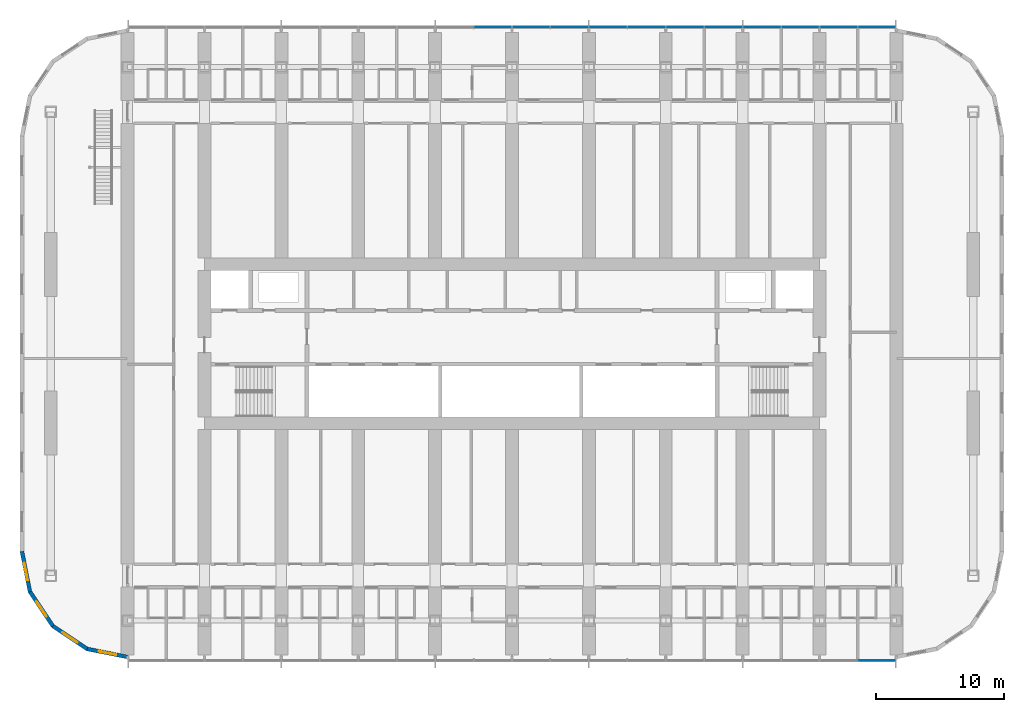
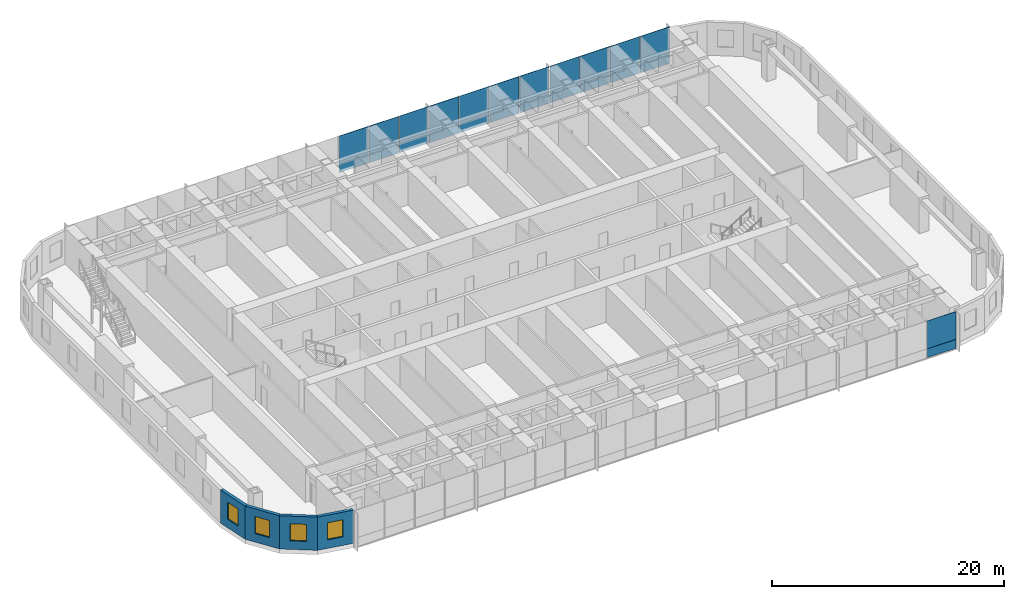
# One storey, part 11 of 28: 24 plates, 4 walls, 4 windows, 4 openings, 2 elements without a shape of their own.
"""IFC4 building model written with IfcOpenShell, lengths in metres."""

from ifc_helpers import new_model, si_unit, direction, frame, frame_2d, origin, origin_2d, place, context, subcontext, project, spatial, polyline, rectangle, outline, extrude, material, layer, layer_set, type_object, element, fill, aggregate, save


model = new_model("IFC4")

# Units and contexts
model_context = context("Model", 3, precision=1e-05, world=origin(), true_north=direction((0.0, 1.0)))
body_context = subcontext(model_context, "Body", "Model", "MODEL_VIEW")
ifc_project = project(units=[si_unit("LENGTHUNIT", "METRE"), si_unit("AREAUNIT", "SQUARE_METRE"), si_unit("VOLUMEUNIT", "CUBIC_METRE"), si_unit("PLANEANGLEUNIT", "RADIAN"), si_unit("MASSUNIT", "GRAM", prefix="KILO")], contexts=[model_context])

# Site, building, storey
site_placement = place(None, origin())
site = spatial("IfcSite", under=ifc_project, at=site_placement, CompositionType="ELEMENT")
building_placement = place(site_placement, origin())
building = spatial("IfcBuilding", under=site, at=building_placement, Name="Orbita Commons", CompositionType="ELEMENT")
storey_placement = place(building_placement, frame((0.0, 0.0, 38.949951171875)))
storey = spatial("IfcBuildingStorey", under=building, at=storey_placement, Name="L09", CompositionType="ELEMENT", Elevation=38.949951171875)

# Curtain wall, plate
ifc_material_1 = material(Name="Anodised aluminium frame, pale silver", Category="aluminium")
curtain_wall_type = type_object("IfcCurtainWallType", Name="Unitised curtain wall CW-T, vision and spandrel", PredefinedType="NOTDEFINED", material=ifc_material_1)
curtain_wall_1_placement = place(storey_placement, origin())
curtain_wall_1 = element("IfcCurtainWall", 1, at=curtain_wall_1_placement, inside=storey, type_object=curtain_wall_type, Name="Curtain wall south L09", PredefinedType="NOTDEFINED")
ifc_material_2 = material(Name="Anodised aluminium sheet on mineral wool", Category="aluminium")
ifc_layer_1 = layer(ifc_material_2, 0.050048828125)
ifc_layer_set_1 = layer_set([ifc_layer_1], Name="Anodised aluminium sheet on mineral wool")
plate_type_1 = type_object("IfcPlateType", Name="Spandrel panel, pale aluminium over insulation 50", PredefinedType="CURTAIN_PANEL", material=ifc_layer_set_1)
plate_1_placement = place(storey_placement, frame((70.47998046875, 7.2900390625, -0.35009765625), z_axis=(0.0, 0.0, 1.0), x_axis=(1.0, 0.0, 0.0)))
plate_1 = element("IfcPlate", 2, at=plate_1_placement, type_object=plate_type_1, Name="Panel 20.1 CW-L09-S", PredefinedType="CURTAIN_PANEL", context=body_context, shape_type="SweptSolid", body=[
    extrude(rectangle(XDim=2.8798828125, YDim=0.050048828125, at=origin_2d()), origin(), (0.0, 0.0, 1.0), 0.927001953125),
])

# Curtain wall, plates
curtain_wall_2_placement = place(storey_placement, origin())
curtain_wall_2 = element("IfcCurtainWall", 3, at=curtain_wall_2_placement, inside=storey, type_object=curtain_wall_type, Name="Curtain wall north L09", PredefinedType="NOTDEFINED")
plate_2_placement = place(storey_placement, frame((70.47998046875, 56.7099609375, -0.35009765625), z_axis=(0.0, 0.0, 1.0), x_axis=(-1.0, 0.0, 0.0)))
plate_2 = element("IfcPlate", 4, at=plate_2_placement, type_object=plate_type_1, Name="Panel 1.1 CW-L09-N", PredefinedType="CURTAIN_PANEL", context=body_context, shape_type="SweptSolid", body=[
    extrude(rectangle(XDim=2.8798828125, YDim=0.050048828125, at=origin_2d()), origin(), (0.0, 0.0, 1.0), 0.927001953125),
])
plate_3_placement = place(storey_placement, frame((67.5, 56.7099609375, -0.35009765625), z_axis=(0.0, 0.0, 1.0), x_axis=(-1.0, 0.0, 0.0)))
plate_3 = element("IfcPlate", 5, at=plate_3_placement, type_object=plate_type_1, Name="Panel 2.1 CW-L09-N", PredefinedType="CURTAIN_PANEL", context=body_context, shape_type="SweptSolid", body=[
    extrude(rectangle(XDim=2.919921875, YDim=0.050048828125, at=origin_2d()), origin(), (0.0, 0.0, 1.0), 0.927001953125),
])
plate_4_placement = place(storey_placement, frame((64.5, 56.7099609375, -0.35009765625), z_axis=(0.0, 0.0, 1.0), x_axis=(-1.0, 0.0, 0.0)))
plate_4 = element("IfcPlate", 6, at=plate_4_placement, type_object=plate_type_1, Name="Panel 3.1 CW-L09-N", PredefinedType="CURTAIN_PANEL", context=body_context, shape_type="SweptSolid", body=[
    extrude(rectangle(XDim=2.919921875, YDim=0.050048828125, at=origin_2d()), origin(), (0.0, 0.0, 1.0), 0.927001953125),
])
plate_5_placement = place(storey_placement, frame((61.5, 56.7099609375, -0.35009765625), z_axis=(0.0, 0.0, 1.0), x_axis=(-1.0, 0.0, 0.0)))
plate_5 = element("IfcPlate", 7, at=plate_5_placement, type_object=plate_type_1, Name="Panel 4.1 CW-L09-N", PredefinedType="CURTAIN_PANEL", context=body_context, shape_type="SweptSolid", body=[
    extrude(rectangle(XDim=2.919921875, YDim=0.050048828125, at=origin_2d()), origin(), (0.0, 0.0, 1.0), 0.927001953125),
])
plate_6_placement = place(storey_placement, frame((58.5, 56.7099609375, -0.35009765625), z_axis=(0.0, 0.0, 1.0), x_axis=(-1.0, 0.0, 0.0)))
plate_6 = element("IfcPlate", 8, at=plate_6_placement, type_object=plate_type_1, Name="Panel 5.1 CW-L09-N", PredefinedType="CURTAIN_PANEL", context=body_context, shape_type="SweptSolid", body=[
    extrude(rectangle(XDim=2.919921875, YDim=0.050048828125, at=origin_2d()), origin(), (0.0, 0.0, 1.0), 0.927001953125),
])
plate_7_placement = place(storey_placement, frame((55.5, 56.7099609375, -0.35009765625), z_axis=(0.0, 0.0, 1.0), x_axis=(-1.0, 0.0, 0.0)))
plate_7 = element("IfcPlate", 9, at=plate_7_placement, type_object=plate_type_1, Name="Panel 6.1 CW-L09-N", PredefinedType="CURTAIN_PANEL", context=body_context, shape_type="SweptSolid", body=[
    extrude(rectangle(XDim=2.919921875, YDim=0.050048828125, at=origin_2d()), origin(), (0.0, 0.0, 1.0), 0.927001953125),
])
plate_8_placement = place(storey_placement, frame((52.5, 56.7099609375, -0.35009765625), z_axis=(0.0, 0.0, 1.0), x_axis=(-1.0, 0.0, 0.0)))
plate_8 = element("IfcPlate", 10, at=plate_8_placement, type_object=plate_type_1, Name="Panel 7.1 CW-L09-N", PredefinedType="CURTAIN_PANEL", context=body_context, shape_type="SweptSolid", body=[
    extrude(rectangle(XDim=2.919921875, YDim=0.050048828125, at=origin_2d()), origin(), (0.0, 0.0, 1.0), 0.927001953125),
])
plate_9_placement = place(storey_placement, frame((49.5, 56.7099609375, -0.35009765625), z_axis=(0.0, 0.0, 1.0), x_axis=(-1.0, 0.0, 0.0)))
plate_9 = element("IfcPlate", 11, at=plate_9_placement, type_object=plate_type_1, Name="Panel 8.1 CW-L09-N", PredefinedType="CURTAIN_PANEL", context=body_context, shape_type="SweptSolid", body=[
    extrude(rectangle(XDim=2.919921875, YDim=0.050048828125, at=origin_2d()), origin(), (0.0, 0.0, 1.0), 0.927001953125),
])
plate_10_placement = place(storey_placement, frame((46.5, 56.7099609375, -0.35009765625), z_axis=(0.0, 0.0, 1.0), x_axis=(-1.0, 0.0, 0.0)))
plate_10 = element("IfcPlate", 12, at=plate_10_placement, type_object=plate_type_1, Name="Panel 9.1 CW-L09-N", PredefinedType="CURTAIN_PANEL", context=body_context, shape_type="SweptSolid", body=[
    extrude(rectangle(XDim=2.919921875, YDim=0.050048828125, at=origin_2d()), origin(), (0.0, 0.0, 1.0), 0.927001953125),
])
plate_11_placement = place(storey_placement, frame((43.5, 56.7099609375, -0.35009765625), z_axis=(0.0, 0.0, 1.0), x_axis=(-1.0, 0.0, 0.0)))
plate_11 = element("IfcPlate", 13, at=plate_11_placement, type_object=plate_type_1, Name="Panel 10.1 CW-L09-N", PredefinedType="CURTAIN_PANEL", context=body_context, shape_type="SweptSolid", body=[
    extrude(rectangle(XDim=2.919921875, YDim=0.050048828125, at=origin_2d()), origin(), (0.0, 0.0, 1.0), 0.927001953125),
])
plate_12_placement = place(storey_placement, frame((40.5, 56.7099609375, -0.35009765625), z_axis=(0.0, 0.0, 1.0), x_axis=(-1.0, 0.0, 0.0)))
plate_12 = element("IfcPlate", 14, at=plate_12_placement, type_object=plate_type_1, Name="Panel 11.1 CW-L09-N", PredefinedType="CURTAIN_PANEL", context=body_context, shape_type="SweptSolid", body=[
    extrude(rectangle(XDim=2.919921875, YDim=0.050048828125, at=origin_2d()), origin(), (0.0, 0.0, 1.0), 0.927001953125),
])

# Plate
ifc_material_3 = material(Name="Clear double glazing", Category="glass")
ifc_layer_2 = layer(ifc_material_3, 0.031982421875)
ifc_layer_set_2 = layer_set([ifc_layer_2], Name="Clear double glazing")
plate_type_2 = type_object("IfcPlateType", Name="Vision panel, clear double glazing 32", PredefinedType="CURTAIN_PANEL", material=ifc_layer_set_2)
plate_13_placement = place(storey_placement, frame((70.47998046875, 7.2900390625, 0.5771484375), z_axis=(0.0, 0.0, 1.0), x_axis=(1.0, 0.0, 0.0)))
plate_13 = element("IfcPlate", 15, at=plate_13_placement, type_object=plate_type_2, Name="Panel 20.2 CW-L09-S", PredefinedType="CURTAIN_PANEL", context=body_context, shape_type="SweptSolid", body=[
    extrude(rectangle(XDim=2.8798828125, YDim=0.031982421875, at=origin_2d()), origin(), (0.0, 0.0, 1.0), 2.923095703125),
])

aggregate(curtain_wall_1, [plate_1, plate_13])

plate_14_placement = place(storey_placement, frame((70.47998046875, 56.7099609375, 0.5771484375), z_axis=(0.0, 0.0, 1.0), x_axis=(-1.0, 0.0, 0.0)))
plate_14 = element("IfcPlate", 16, at=plate_14_placement, type_object=plate_type_2, Name="Panel 1.2 CW-L09-N", PredefinedType="CURTAIN_PANEL", context=body_context, shape_type="SweptSolid", body=[
    extrude(rectangle(XDim=2.8798828125, YDim=0.031982421875, at=origin_2d()), origin(), (0.0, 0.0, 1.0), 2.923095703125),
])

plate_15_placement = place(storey_placement, frame((67.5, 56.7099609375, 0.5771484375), z_axis=(0.0, 0.0, 1.0), x_axis=(-1.0, 0.0, 0.0)))
plate_15 = element("IfcPlate", 17, at=plate_15_placement, type_object=plate_type_2, Name="Panel 2.2 CW-L09-N", PredefinedType="CURTAIN_PANEL", context=body_context, shape_type="SweptSolid", body=[
    extrude(rectangle(XDim=2.919921875, YDim=0.031982421875, at=origin_2d()), origin(), (0.0, 0.0, 1.0), 2.923095703125),
])

plate_16_placement = place(storey_placement, frame((64.5, 56.7099609375, 0.5771484375), z_axis=(0.0, 0.0, 1.0), x_axis=(-1.0, 0.0, 0.0)))
plate_16 = element("IfcPlate", 18, at=plate_16_placement, type_object=plate_type_2, Name="Panel 3.2 CW-L09-N", PredefinedType="CURTAIN_PANEL", context=body_context, shape_type="SweptSolid", body=[
    extrude(rectangle(XDim=2.919921875, YDim=0.031982421875, at=origin_2d()), origin(), (0.0, 0.0, 1.0), 2.923095703125),
])

plate_17_placement = place(storey_placement, frame((61.5, 56.7099609375, 0.5771484375), z_axis=(0.0, 0.0, 1.0), x_axis=(-1.0, 0.0, 0.0)))
plate_17 = element("IfcPlate", 19, at=plate_17_placement, type_object=plate_type_2, Name="Panel 4.2 CW-L09-N", PredefinedType="CURTAIN_PANEL", context=body_context, shape_type="SweptSolid", body=[
    extrude(rectangle(XDim=2.919921875, YDim=0.031982421875, at=origin_2d()), origin(), (0.0, 0.0, 1.0), 2.923095703125),
])

plate_18_placement = place(storey_placement, frame((58.5, 56.7099609375, 0.5771484375), z_axis=(0.0, 0.0, 1.0), x_axis=(-1.0, 0.0, 0.0)))
plate_18 = element("IfcPlate", 20, at=plate_18_placement, type_object=plate_type_2, Name="Panel 5.2 CW-L09-N", PredefinedType="CURTAIN_PANEL", context=body_context, shape_type="SweptSolid", body=[
    extrude(rectangle(XDim=2.919921875, YDim=0.031982421875, at=origin_2d()), origin(), (0.0, 0.0, 1.0), 2.923095703125),
])

plate_19_placement = place(storey_placement, frame((55.5, 56.7099609375, 0.5771484375), z_axis=(0.0, 0.0, 1.0), x_axis=(-1.0, 0.0, 0.0)))
plate_19 = element("IfcPlate", 21, at=plate_19_placement, type_object=plate_type_2, Name="Panel 6.2 CW-L09-N", PredefinedType="CURTAIN_PANEL", context=body_context, shape_type="SweptSolid", body=[
    extrude(rectangle(XDim=2.919921875, YDim=0.031982421875, at=origin_2d()), origin(), (0.0, 0.0, 1.0), 2.923095703125),
])

plate_20_placement = place(storey_placement, frame((52.5, 56.7099609375, 0.5771484375), z_axis=(0.0, 0.0, 1.0), x_axis=(-1.0, 0.0, 0.0)))
plate_20 = element("IfcPlate", 22, at=plate_20_placement, type_object=plate_type_2, Name="Panel 7.2 CW-L09-N", PredefinedType="CURTAIN_PANEL", context=body_context, shape_type="SweptSolid", body=[
    extrude(rectangle(XDim=2.919921875, YDim=0.031982421875, at=origin_2d()), origin(), (0.0, 0.0, 1.0), 2.923095703125),
])

plate_21_placement = place(storey_placement, frame((49.5, 56.7099609375, 0.5771484375), z_axis=(0.0, 0.0, 1.0), x_axis=(-1.0, 0.0, 0.0)))
plate_21 = element("IfcPlate", 23, at=plate_21_placement, type_object=plate_type_2, Name="Panel 8.2 CW-L09-N", PredefinedType="CURTAIN_PANEL", context=body_context, shape_type="SweptSolid", body=[
    extrude(rectangle(XDim=2.919921875, YDim=0.031982421875, at=origin_2d()), origin(), (0.0, 0.0, 1.0), 2.923095703125),
])

plate_22_placement = place(storey_placement, frame((46.5, 56.7099609375, 0.5771484375), z_axis=(0.0, 0.0, 1.0), x_axis=(-1.0, 0.0, 0.0)))
plate_22 = element("IfcPlate", 24, at=plate_22_placement, type_object=plate_type_2, Name="Panel 9.2 CW-L09-N", PredefinedType="CURTAIN_PANEL", context=body_context, shape_type="SweptSolid", body=[
    extrude(rectangle(XDim=2.919921875, YDim=0.031982421875, at=origin_2d()), origin(), (0.0, 0.0, 1.0), 2.923095703125),
])

plate_23_placement = place(storey_placement, frame((43.5, 56.7099609375, 0.5771484375), z_axis=(0.0, 0.0, 1.0), x_axis=(-1.0, 0.0, 0.0)))
plate_23 = element("IfcPlate", 25, at=plate_23_placement, type_object=plate_type_2, Name="Panel 10.2 CW-L09-N", PredefinedType="CURTAIN_PANEL", context=body_context, shape_type="SweptSolid", body=[
    extrude(rectangle(XDim=2.919921875, YDim=0.031982421875, at=origin_2d()), origin(), (0.0, 0.0, 1.0), 2.923095703125),
])

plate_24_placement = place(storey_placement, frame((40.5, 56.7099609375, 0.5771484375), z_axis=(0.0, 0.0, 1.0), x_axis=(-1.0, 0.0, 0.0)))
plate_24 = element("IfcPlate", 26, at=plate_24_placement, type_object=plate_type_2, Name="Panel 11.2 CW-L09-N", PredefinedType="CURTAIN_PANEL", context=body_context, shape_type="SweptSolid", body=[
    extrude(rectangle(XDim=2.919921875, YDim=0.031982421875, at=origin_2d()), origin(), (0.0, 0.0, 1.0), 2.923095703125),
])

aggregate(curtain_wall_2, [plate_2, plate_14, plate_3, plate_15, plate_4, plate_16, plate_5, plate_17, plate_6, plate_18, plate_7, plate_19, plate_8, plate_20, plate_9, plate_21, plate_10, plate_22, plate_11, plate_23, plate_12, plate_24])

# Wall, opening, window
ifc_material_4 = material(Name="Precast concrete C40/50, white board-marked finish", Category="concrete")
ifc_layer_3 = layer(ifc_material_4, 0.300048828125)
ifc_layer_set_3 = layer_set([ifc_layer_3], Name="Precast concrete C40/50, white board-marked finish")
wall_type = type_object("IfcWallType", Name="Precast concrete end shield 300", PredefinedType="SOLIDWALL", material=ifc_layer_set_3)
wall_1_placement = place(storey_placement, frame((3.75, 15.800048828125, 0.0), z_axis=(0.0, 0.0, 1.0), x_axis=(0.195065901187, -0.980790137692, 0.0)))
wall_1 = element("IfcWall", 27, at=wall_1_placement, inside=storey, type_object=wall_type, Name="End shield SW chord 1 L09", PredefinedType="SOLIDWALL", context=body_context, shape_type="SweptSolid", body=[
    extrude(outline(polyline([(-0.014892578125, -0.14990234375), (3.248779296875, -0.14990234375), (3.189208984375, 0.14990234375), (0.014892578125, 0.14990234375), (-0.014892578125, -0.14990234375)])), origin(), (0.0, 0.0, 1.0), 3.5),
])
opening_1_placement = place(wall_1_placement, frame((0.909423828125, 0.0, 0.89990234375)))
opening_1 = element("IfcOpeningElement", 28, at=opening_1_placement, cuts=wall_1, Name="Opening W02", PredefinedType="OPENING", context=body_context, shape_type="SweptSolid", body=[
    extrude(rectangle(XDim=1.39990234375, YDim=1.800048828125, at=frame_2d((0.699951171875, 0.89990234375))), frame((0.0, 0.159912109375, 0.0), z_axis=(0.0, -1.0, 0.0), x_axis=(1.0, 0.0, 0.0)), (0.0, 0.0, 1.0), 0.320068359375),
])
ifc_material_5 = material(Name="Aluminium frame, clear double glazing", Category="aluminium")
window_type = type_object("IfcWindowType", Name="Deep-set window 1400x1800", PartitioningType="SINGLE_PANEL", PredefinedType="WINDOW", material=ifc_material_5)
window_1_placement = place(opening_1_placement, origin())
window_1 = element("IfcWindow", 29, at=window_1_placement, inside=storey, type_object=window_type, Name="Window L09-SW0", OverallHeight=1.800048828125, OverallWidth=1.39990234375, PartitioningType="SINGLE_PANEL", PredefinedType="WINDOW", context=body_context, shape_type="SweptSolid", body=[
    extrude(rectangle(XDim=1.39990234375, YDim=1.800048828125, at=frame_2d((0.699951171875, 0.89990234375))), frame((0.0, 0.030029296875, 0.0), z_axis=(0.0, -1.0, 0.0), x_axis=(1.0, 0.0, 0.0)), (0.0, 0.0, 1.0), 0.06005859375),
])
fill(opening_1, window_1)

wall_2_placement = place(storey_placement, frame((4.3779296875, 12.642822265625, 0.0), z_axis=(0.0, 0.0, 1.0), x_axis=(0.555609954424, -0.831443069936, 0.0)))
wall_2 = element("IfcWall", 30, at=wall_2_placement, inside=storey, type_object=wall_type, Name="End shield SW chord 2 L09", PredefinedType="SOLIDWALL", context=body_context, shape_type="SweptSolid", body=[
    extrude(outline(polyline([(-0.02978515625, -0.14990234375), (3.2490234375, -0.14990234375), (3.189453125, 0.14990234375), (0.02978515625, 0.14990234375), (-0.02978515625, -0.14990234375)])), origin(), (0.0, 0.0, 1.0), 3.5),
])
opening_2_placement = place(wall_2_placement, frame((0.909423828125, 0.0, 0.89990234375)))
opening_2 = element("IfcOpeningElement", 31, at=opening_2_placement, cuts=wall_2, Name="Opening W02", PredefinedType="OPENING", context=body_context, shape_type="SweptSolid", body=[
    extrude(rectangle(XDim=1.39990234375, YDim=1.800048828125, at=frame_2d((0.699951171875, 0.89990234375))), frame((0.0, 0.159912109375, 0.0), z_axis=(0.0, -1.0, 0.0), x_axis=(1.0, 0.0, 0.0)), (0.0, 0.0, 1.0), 0.320068359375),
])
window_2_placement = place(opening_2_placement, origin())
window_2 = element("IfcWindow", 32, at=window_2_placement, inside=storey, type_object=window_type, Name="Window L09-SW1", OverallHeight=1.800048828125, OverallWidth=1.39990234375, PartitioningType="SINGLE_PANEL", PredefinedType="WINDOW", context=body_context, shape_type="SweptSolid", body=[
    extrude(rectangle(XDim=1.39990234375, YDim=1.800048828125, at=frame_2d((0.699951171875, 0.89990234375))), frame((0.0, 0.030029296875, 0.0), z_axis=(0.0, -1.0, 0.0), x_axis=(1.0, 0.0, 0.0)), (0.0, 0.0, 1.0), 0.06005859375),
])
fill(opening_2, window_2)

wall_3_placement = place(storey_placement, frame((6.16650390625, 9.96630859375, 0.0), z_axis=(0.0, 0.0, 1.0), x_axis=(0.831478105043, -0.555557522525, 0.0)))
wall_3 = element("IfcWall", 33, at=wall_3_placement, inside=storey, type_object=wall_type, Name="End shield SW chord 3 L09", PredefinedType="SOLIDWALL", context=body_context, shape_type="SweptSolid", body=[
    extrude(outline(polyline([(-0.02978515625, -0.14990234375), (3.248779296875, -0.14990234375), (3.189208984375, 0.14990234375), (0.02978515625, 0.14990234375), (-0.02978515625, -0.14990234375)])), origin(), (0.0, 0.0, 1.0), 3.5),
])
opening_3_placement = place(wall_3_placement, frame((0.909423828125, 0.0, 0.89990234375)))
opening_3 = element("IfcOpeningElement", 34, at=opening_3_placement, cuts=wall_3, Name="Opening W02", PredefinedType="OPENING", context=body_context, shape_type="SweptSolid", body=[
    extrude(rectangle(XDim=1.39990234375, YDim=1.800048828125, at=frame_2d((0.699951171875, 0.89990234375))), frame((0.0, 0.159912109375, 0.0), z_axis=(0.0, -1.0, 0.0), x_axis=(1.0, 0.0, 0.0)), (0.0, 0.0, 1.0), 0.320068359375),
])
window_3_placement = place(opening_3_placement, origin())
window_3 = element("IfcWindow", 35, at=window_3_placement, inside=storey, type_object=window_type, Name="Window L09-SW2", OverallHeight=1.800048828125, OverallWidth=1.39990234375, PartitioningType="SINGLE_PANEL", PredefinedType="WINDOW", context=body_context, shape_type="SweptSolid", body=[
    extrude(rectangle(XDim=1.39990234375, YDim=1.800048828125, at=frame_2d((0.699951171875, 0.89990234375))), frame((0.0, 0.030029296875, 0.0), z_axis=(0.0, -1.0, 0.0), x_axis=(1.0, 0.0, 0.0)), (0.0, 0.0, 1.0), 0.06005859375),
])
fill(opening_3, window_3)

wall_4_placement = place(storey_placement, frame((8.843017578125, 8.177978515625, 0.0), z_axis=(0.0, 0.0, 1.0), x_axis=(0.980787251524, -0.195080412259, 0.0)))
wall_4 = element("IfcWall", 36, at=wall_4_placement, inside=storey, type_object=wall_type, Name="End shield SW chord 4 L09", PredefinedType="SOLIDWALL", context=body_context, shape_type="SweptSolid", body=[
    extrude(outline(polyline([(-0.02978515625, -0.14990234375), (3.24853515625, -0.14990234375), (3.18896484375, 0.14990234375), (0.02978515625, 0.14990234375), (-0.02978515625, -0.14990234375)])), origin(), (0.0, 0.0, 1.0), 3.5),
])
opening_4_placement = place(wall_4_placement, frame((0.909423828125, 0.0, 0.89990234375)))
opening_4 = element("IfcOpeningElement", 37, at=opening_4_placement, cuts=wall_4, Name="Opening W02", PredefinedType="OPENING", context=body_context, shape_type="SweptSolid", body=[
    extrude(rectangle(XDim=1.39990234375, YDim=1.800048828125, at=frame_2d((0.699951171875, 0.89990234375))), frame((0.0, 0.159912109375, 0.0), z_axis=(0.0, -1.0, 0.0), x_axis=(1.0, 0.0, 0.0)), (0.0, 0.0, 1.0), 0.320068359375),
])
window_4_placement = place(opening_4_placement, origin())
window_4 = element("IfcWindow", 38, at=window_4_placement, inside=storey, type_object=window_type, Name="Window L09-SW3", OverallHeight=1.800048828125, OverallWidth=1.39990234375, PartitioningType="SINGLE_PANEL", PredefinedType="WINDOW", context=body_context, shape_type="SweptSolid", body=[
    extrude(rectangle(XDim=1.39990234375, YDim=1.800048828125, at=frame_2d((0.699951171875, 0.89990234375))), frame((0.0, 0.030029296875, 0.0), z_axis=(0.0, -1.0, 0.0), x_axis=(1.0, 0.0, 0.0)), (0.0, 0.0, 1.0), 0.06005859375),
])
fill(opening_4, window_4)

save(model, "model.ifc")
